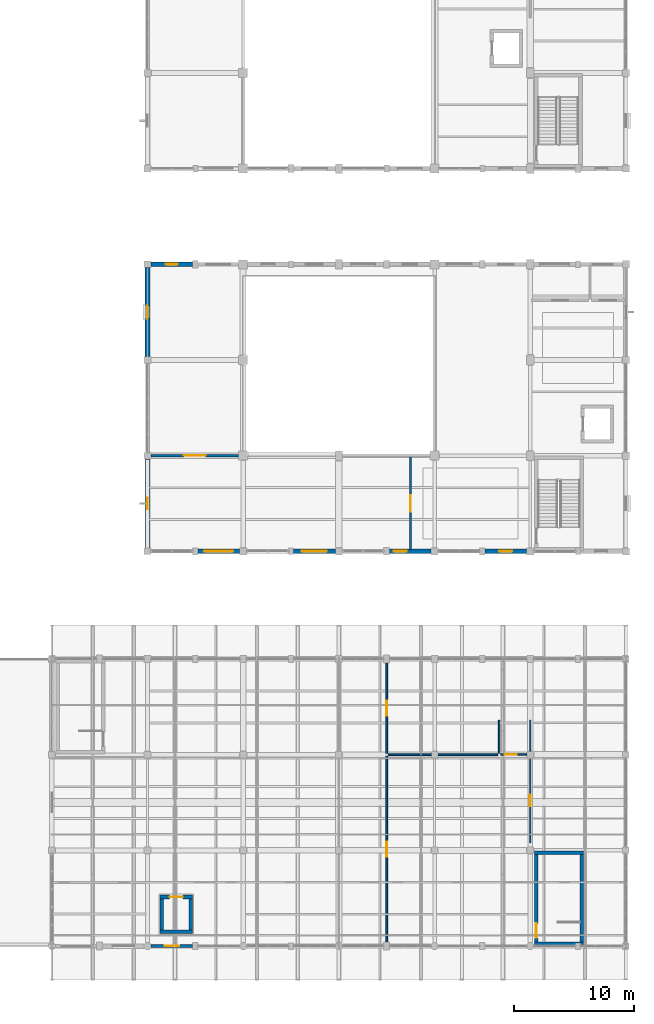
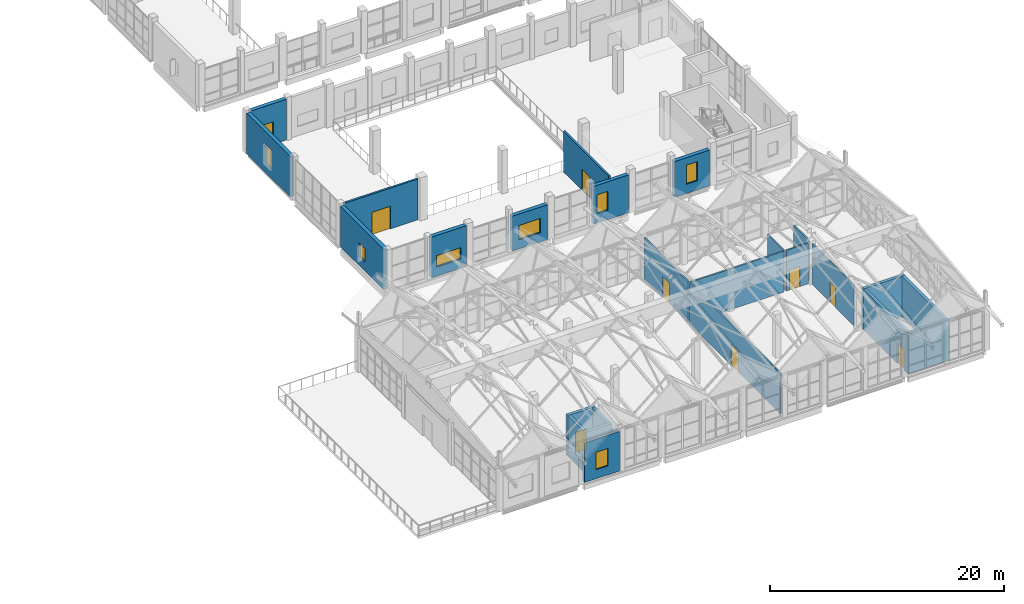
# One storey, part 148 of 183: 25 walls, 8 doors, 8 windows, 16 openings.
"""IFC4 building model written with IfcOpenShell, lengths in metres."""

from ifc_helpers import new_model, si_unit, direction, frame, frame_2d, origin, place, context, subcontext, project, spatial, rectangle, extrude, material, layer, layer_set, type_object, element, fill, save


model = new_model("IFC4")

# Units and contexts
model_context = context("Model", 3, precision=1e-05, world=origin(), true_north=direction((0.0, 1.0)))
body_context = subcontext(model_context, "Body", "Model", "MODEL_VIEW")
ifc_project = project(units=[si_unit("LENGTHUNIT", "METRE"), si_unit("AREAUNIT", "SQUARE_METRE"), si_unit("VOLUMEUNIT", "CUBIC_METRE"), si_unit("PLANEANGLEUNIT", "RADIAN"), si_unit("MASSUNIT", "GRAM", prefix="KILO")], contexts=[model_context])

# Site, building, storey
site_placement = place(None, origin())
site = spatial("IfcSite", under=ifc_project, at=site_placement, CompositionType="ELEMENT")
building_placement = place(site_placement, origin())
building = spatial("IfcBuilding", under=site, at=building_placement, Name="Luwemba Playhouse", CompositionType="ELEMENT")
storey_placement = place(building_placement, frame((0.0, 0.0, 4.800048828125)))
storey = spatial("IfcBuildingStorey", under=building, at=storey_placement, Name="L01", CompositionType="ELEMENT", Elevation=4.800048828125)

# Wall, opening, window
ifc_material_1 = material(Name="Clay facing brick obra vista masonry", Category="masonry")
ifc_layer_1 = layer(ifc_material_1, 0.3798828125)
ifc_layer_set_1 = layer_set([ifc_layer_1], Name="Clay facing brick obra vista masonry")
wall_type_1 = type_object("IfcWallType", Name="WAL-BRK-380", PredefinedType="SOLIDWALL", material=ifc_layer_set_1)
wall_1_placement = place(storey_placement, frame((132.0, 36.27490234375, 0.0), z_axis=(0.0, 0.0, 1.0), x_axis=(0.0, 1.0, 0.0)))
wall_1 = element("IfcWall", 1, at=wall_1_placement, inside=storey, type_object=wall_type_1, Name="L01 V3 exterior facade wall 0162", PredefinedType="SOLIDWALL", context=body_context, shape_type="SweptSolid", body=[
    extrude(rectangle(XDim=7.4501953125, YDim=0.3798828125, at=frame_2d((3.72509765625, 0.0))), origin(), (0.0, 0.0, 1.0), 4.25),
])
opening_1_placement = place(wall_1_placement, frame((3.22509765625, 0.0, 0.949951171875)))
opening_1 = element("IfcOpeningElement", 2, at=opening_1_placement, cuts=wall_1, Name="Opening WN-13", PredefinedType="OPENING", context=body_context, shape_type="SweptSolid", body=[
    extrude(rectangle(XDim=1.0, YDim=1.39990234375, at=frame_2d((0.5, 0.699951171875))), frame((0.0, 0.199951171875, 0.0), z_axis=(0.0, -1.0, 0.0), x_axis=(1.0, 0.0, 0.0)), (0.0, 0.0, 1.0), 0.39990234375),
])
ifc_material_2 = material(Name="Solar-control double glazing in aluminium frame", Category="aluminium")
window_type_1 = type_object("IfcWindowType", Name="WIN-WN-13", PartitioningType="SINGLE_PANEL", PredefinedType="WINDOW", material=ifc_material_2)
window_1_placement = place(opening_1_placement, origin())
window_1 = element("IfcWindow", 3, at=window_1_placement, inside=storey, type_object=window_type_1, Name="L01 V3 scheduled window 0111", OverallHeight=1.39990234375, OverallWidth=1.0, PartitioningType="SINGLE_PANEL", PredefinedType="WINDOW", context=body_context, shape_type="SweptSolid", body=[
    extrude(rectangle(XDim=1.0, YDim=1.39990234375, at=frame_2d((0.5, 0.699951171875))), frame((0.0, 0.030029296875, 0.0), z_axis=(0.0, -1.0, 0.0), x_axis=(1.0, 0.0, 0.0)), (0.0, 0.0, 1.0), 0.06005859375),
])
fill(opening_1, window_1)

wall_2_placement = place(storey_placement, frame((132.0, 52.27490234375, 0.0), z_axis=(0.0, 0.0, 1.0), x_axis=(0.0, 1.0, 0.0)))
wall_2 = element("IfcWall", 4, at=wall_2_placement, inside=storey, type_object=wall_type_1, Name="L01 V3 exterior facade wall 0163", PredefinedType="SOLIDWALL", context=body_context, shape_type="SweptSolid", body=[
    extrude(rectangle(XDim=7.4501953125, YDim=0.3798828125, at=frame_2d((3.72509765625, 0.0))), origin(), (0.0, 0.0, 1.0), 4.25),
])
opening_2_placement = place(wall_2_placement, frame((3.175048828125, 0.0, 0.949951171875)))
opening_2 = element("IfcOpeningElement", 5, at=opening_2_placement, cuts=wall_2, Name="Opening WN-19", PredefinedType="OPENING", context=body_context, shape_type="SweptSolid", body=[
    extrude(rectangle(XDim=1.10009765625, YDim=2.0, at=frame_2d((0.550048828125, 1.0))), frame((0.0, 0.199951171875, 0.0), z_axis=(0.0, -1.0, 0.0), x_axis=(1.0, 0.0, 0.0)), (0.0, 0.0, 1.0), 0.39990234375),
])
window_type_2 = type_object("IfcWindowType", Name="WIN-WN-19", PartitioningType="SINGLE_PANEL", PredefinedType="WINDOW", material=ifc_material_2)
window_2_placement = place(opening_2_placement, origin())
window_2 = element("IfcWindow", 6, at=window_2_placement, inside=storey, type_object=window_type_2, Name="L01 V3 scheduled window 0112", OverallHeight=2.0, OverallWidth=1.10009765625, PartitioningType="SINGLE_PANEL", PredefinedType="WINDOW", context=body_context, shape_type="SweptSolid", body=[
    extrude(rectangle(XDim=1.10009765625, YDim=2.0, at=frame_2d((0.550048828125, 1.0))), frame((0.0, 0.030029296875, 0.0), z_axis=(0.0, -1.0, 0.0), x_axis=(1.0, 0.0, 0.0)), (0.0, 0.0, 1.0), 0.06005859375),
])
fill(opening_2, window_2)

wall_3_placement = place(storey_placement, frame((132.27490234375, 60.0, 0.0), z_axis=(0.0, 0.0, 1.0), x_axis=(1.0, 0.0, 0.0)))
wall_3 = element("IfcWall", 7, at=wall_3_placement, inside=storey, type_object=wall_type_1, Name="L01 V3 exterior facade wall 0164", PredefinedType="SOLIDWALL", context=body_context, shape_type="SweptSolid", body=[
    extrude(rectangle(XDim=3.5, YDim=0.3798828125, at=frame_2d((1.75, 0.0))), origin(), (0.0, 0.0, 1.0), 4.25),
])
opening_3_placement = place(wall_3_placement, frame((1.25, 0.0, 0.949951171875)))
opening_3 = element("IfcOpeningElement", 8, at=opening_3_placement, cuts=wall_3, Name="Opening WN-13", PredefinedType="OPENING", context=body_context, shape_type="SweptSolid", body=[
    extrude(rectangle(XDim=1.0, YDim=1.39990234375, at=frame_2d((0.5, 0.699951171875))), frame((0.0, 0.199951171875, 0.0), z_axis=(0.0, -1.0, 0.0), x_axis=(1.0, 0.0, 0.0)), (0.0, 0.0, 1.0), 0.39990234375),
])
window_3_placement = place(opening_3_placement, origin())
window_3 = element("IfcWindow", 9, at=window_3_placement, inside=storey, type_object=window_type_1, Name="L01 V3 scheduled window 0113", OverallHeight=1.39990234375, OverallWidth=1.0, PartitioningType="SINGLE_PANEL", PredefinedType="WINDOW", context=body_context, shape_type="SweptSolid", body=[
    extrude(rectangle(XDim=1.0, YDim=1.39990234375, at=frame_2d((0.5, 0.699951171875))), frame((0.0, 0.030029296875, 0.0), z_axis=(0.0, -1.0, 0.0), x_axis=(1.0, 0.0, 0.0)), (0.0, 0.0, 1.0), 0.06005859375),
])
fill(opening_3, window_3)

wall_4_placement = place(storey_placement, frame((163.699951171875, 36.0, 0.0), z_axis=(0.0, 0.0, 1.0), x_axis=(-1.0, 0.0, 0.0)))
wall_4 = element("IfcWall", 10, at=wall_4_placement, inside=storey, type_object=wall_type_1, Name="L01 V3 exterior facade wall 0177", PredefinedType="SOLIDWALL", context=body_context, shape_type="SweptSolid", body=[
    extrude(rectangle(XDim=3.474853515625, YDim=0.3798828125, at=frame_2d((1.7373046875, 0.0))), origin(), (0.0, 0.0, 1.0), 3.73486328125),
])
opening_4_placement = place(wall_4_placement, frame((1.1875, 0.0, 0.949951171875)))
opening_4 = element("IfcOpeningElement", 11, at=opening_4_placement, cuts=wall_4, Name="Opening WN-19", PredefinedType="OPENING", context=body_context, shape_type="SweptSolid", body=[
    extrude(rectangle(XDim=1.10009765625, YDim=2.0, at=frame_2d((0.550048828125, 1.0))), frame((0.0, 0.199951171875, 0.0), z_axis=(0.0, -1.0, 0.0), x_axis=(1.0, 0.0, 0.0)), (0.0, 0.0, 1.0), 0.39990234375),
])
window_4_placement = place(opening_4_placement, origin())
window_4 = element("IfcWindow", 12, at=window_4_placement, inside=storey, type_object=window_type_2, Name="L01 V3 scheduled window 0126", OverallHeight=2.0, OverallWidth=1.10009765625, PartitioningType="SINGLE_PANEL", PredefinedType="WINDOW", context=body_context, shape_type="SweptSolid", body=[
    extrude(rectangle(XDim=1.10009765625, YDim=2.0, at=frame_2d((0.550048828125, 1.0))), frame((0.0, 0.030029296875, 0.0), z_axis=(0.0, -1.0, 0.0), x_axis=(1.0, 0.0, 0.0)), (0.0, 0.0, 1.0), 0.06005859375),
])
fill(opening_4, window_4)

wall_5_placement = place(storey_placement, frame((155.699951171875, 36.0, 0.0), z_axis=(0.0, 0.0, 1.0), x_axis=(-1.0, 0.0, 0.0)))
wall_5 = element("IfcWall", 13, at=wall_5_placement, inside=storey, type_object=wall_type_1, Name="L01 V3 exterior facade wall 0178", PredefinedType="SOLIDWALL", context=body_context, shape_type="SweptSolid", body=[
    extrude(rectangle(XDim=3.449951171875, YDim=0.3798828125, at=frame_2d((1.72509765625, 0.0))), origin(), (0.0, 0.0, 1.0), 3.93505859375),
])
opening_5_placement = place(wall_5_placement, frame((2.030029296875, 0.0, 0.949951171875)))
opening_5 = element("IfcOpeningElement", 14, at=opening_5_placement, cuts=wall_5, Name="Opening WN-19", PredefinedType="OPENING", context=body_context, shape_type="SweptSolid", body=[
    extrude(rectangle(XDim=1.10009765625, YDim=2.0, at=frame_2d((0.550048828125, 1.0))), frame((0.0, 0.199951171875, 0.0), z_axis=(0.0, -1.0, 0.0), x_axis=(1.0, 0.0, 0.0)), (0.0, 0.0, 1.0), 0.39990234375),
])
window_5_placement = place(opening_5_placement, origin())
window_5 = element("IfcWindow", 15, at=window_5_placement, inside=storey, type_object=window_type_2, Name="L01 V3 scheduled window 0127", OverallHeight=2.0, OverallWidth=1.10009765625, PartitioningType="TRIPLE_PANEL_VERTICAL", PredefinedType="WINDOW", context=body_context, shape_type="SweptSolid", body=[
    extrude(rectangle(XDim=1.10009765625, YDim=2.0, at=frame_2d((0.550048828125, 1.0))), frame((0.0, 0.030029296875, 0.0), z_axis=(0.0, -1.0, 0.0), x_axis=(1.0, 0.0, 0.0)), (0.0, 0.0, 1.0), 0.06005859375),
])
fill(opening_5, window_5)

wall_6_placement = place(storey_placement, frame((147.699951171875, 36.0, 0.0), z_axis=(0.0, 0.0, 1.0), x_axis=(-1.0, 0.0, 0.0)))
wall_6 = element("IfcWall", 16, at=wall_6_placement, inside=storey, type_object=wall_type_1, Name="L01 V3 exterior facade wall 0179", PredefinedType="SOLIDWALL", context=body_context, shape_type="SweptSolid", body=[
    extrude(rectangle(XDim=3.5, YDim=0.3798828125, at=frame_2d((1.75, 0.0))), origin(), (0.0, 0.0, 1.0), 3.635009765625),
])
opening_6_placement = place(wall_6_placement, frame((0.699951171875, 0.0, 0.949951171875)))
opening_6 = element("IfcOpeningElement", 17, at=opening_6_placement, cuts=wall_6, Name="Opening WN-11", PredefinedType="OPENING", context=body_context, shape_type="SweptSolid", body=[
    extrude(rectangle(XDim=2.10009765625, YDim=1.5, at=frame_2d((1.050048828125, 0.75))), frame((0.0, 0.199951171875, 0.0), z_axis=(0.0, -1.0, 0.0), x_axis=(1.0, 0.0, 0.0)), (0.0, 0.0, 1.0), 0.39990234375),
])
window_type_3 = type_object("IfcWindowType", Name="WIN-WN-11", PartitioningType="TRIPLE_PANEL_VERTICAL", PredefinedType="WINDOW", material=ifc_material_2)
window_6_placement = place(opening_6_placement, origin())
window_6 = element("IfcWindow", 18, at=window_6_placement, inside=storey, type_object=window_type_3, Name="L01 V3 scheduled window 0128", OverallHeight=1.5, OverallWidth=2.10009765625, PartitioningType="TRIPLE_PANEL_VERTICAL", PredefinedType="WINDOW", context=body_context, shape_type="SweptSolid", body=[
    extrude(rectangle(XDim=2.10009765625, YDim=1.5, at=frame_2d((1.050048828125, 0.75))), frame((0.0, 0.030029296875, 0.0), z_axis=(0.0, -1.0, 0.0), x_axis=(1.0, 0.0, 0.0)), (0.0, 0.0, 1.0), 0.06005859375),
])
fill(opening_6, window_6)

wall_7_placement = place(storey_placement, frame((139.699951171875, 36.0, 0.0), z_axis=(0.0, 0.0, 1.0), x_axis=(-1.0, 0.0, 0.0)))
wall_7 = element("IfcWall", 19, at=wall_7_placement, inside=storey, type_object=wall_type_1, Name="L01 V3 exterior facade wall 0180", PredefinedType="SOLIDWALL", context=body_context, shape_type="SweptSolid", body=[
    extrude(rectangle(XDim=3.474853515625, YDim=0.3798828125, at=frame_2d((1.7373046875, 0.0))), origin(), (0.0, 0.0, 1.0), 4.25),
])
opening_7_placement = place(wall_7_placement, frame((0.53759765625, 0.0, 0.949951171875)))
opening_7 = element("IfcOpeningElement", 20, at=opening_7_placement, cuts=wall_7, Name="Opening WN-17", PredefinedType="OPENING", context=body_context, shape_type="SweptSolid", body=[
    extrude(rectangle(XDim=2.39990234375, YDim=1.199951171875, at=frame_2d((1.199951171875, 0.60009765625))), frame((0.0, 0.199951171875, 0.0), z_axis=(0.0, -1.0, 0.0), x_axis=(1.0, 0.0, 0.0)), (0.0, 0.0, 1.0), 0.39990234375),
])
window_type_4 = type_object("IfcWindowType", Name="WIN-WN-17", PartitioningType="TRIPLE_PANEL_HORIZONTAL", PredefinedType="WINDOW", material=ifc_material_2)
window_7_placement = place(opening_7_placement, origin())
window_7 = element("IfcWindow", 21, at=window_7_placement, inside=storey, type_object=window_type_4, Name="L01 V3 scheduled window 0129", OverallHeight=1.199951171875, OverallWidth=2.39990234375, PartitioningType="TRIPLE_PANEL_HORIZONTAL", PredefinedType="WINDOW", context=body_context, shape_type="SweptSolid", body=[
    extrude(rectangle(XDim=2.39990234375, YDim=1.199951171875, at=frame_2d((1.199951171875, 0.60009765625))), frame((0.0, 0.030029296875, 0.0), z_axis=(0.0, -1.0, 0.0), x_axis=(1.0, 0.0, 0.0)), (0.0, 0.0, 1.0), 0.06005859375),
])
fill(opening_7, window_7)

# Walls
ifc_material_3 = material(Name="Concrete C40/50", Category="concrete")
ifc_layer_2 = layer(ifc_material_3, 0.300048828125)
ifc_layer_set_2 = layer_set([ifc_layer_2], Name="Concrete C40/50")
wall_type_2 = type_object("IfcWallType", Name="WAL-CORE-300", PredefinedType="SHEAR", material=ifc_layer_set_2)
for number, where, z_axis, x_axis, name in (
    (22, (164.35009765625, 3.18994140625, 0.0), (0.0, 0.0, 1.0), (1.0, 0.0, 0.0), "L01 ST-05 stair core wall S"),
    (23, (168.449951171875, 10.81005859375, 0.0), (0.0, 0.0, 1.0), (-1.0, 0.0, 0.0), "L01 ST-05 stair core wall N"),
):
    element("IfcWall", number, at=place(storey_placement, frame(where, z_axis=z_axis, x_axis=x_axis)), inside=storey, type_object=wall_type_2, Name=name, PredefinedType="SHEAR", context=body_context, shape_type="SweptSolid", body=[
        extrude(rectangle(XDim=4.099853515625, YDim=0.300048828125, at=frame_2d((2.0498046875, 0.0))), origin(), (0.0, 0.0, 1.0), 4.25),
    ])

# Wall, opening, door
wall_8_placement = place(storey_placement, frame((164.5, 10.659912109375, 0.0), z_axis=(0.0, 0.0, 1.0), x_axis=(0.0, -1.0, 0.0)))
wall_8 = element("IfcWall", 24, at=wall_8_placement, inside=storey, type_object=wall_type_2, Name="L01 ST-05 stair core wall W", PredefinedType="SHEAR", context=body_context, shape_type="SweptSolid", body=[
    extrude(rectangle(XDim=7.31982421875, YDim=0.300048828125, at=frame_2d((3.659912109375, 0.0))), origin(), (0.0, 0.0, 1.0), 4.25),
])
opening_8_placement = place(wall_8_placement, frame((5.77001953125, 0.0, 0.0)))
opening_8 = element("IfcOpeningElement", 25, at=opening_8_placement, cuts=wall_8, Name="Opening D-STAIR3", PredefinedType="OPENING", context=body_context, shape_type="SweptSolid", body=[
    extrude(rectangle(XDim=1.199951171875, YDim=2.14990234375, at=frame_2d((0.60009765625, 1.074951171875))), frame((0.0, 0.159912109375, 0.0), z_axis=(0.0, -1.0, 0.0), x_axis=(1.0, 0.0, 0.0)), (0.0, 0.0, 1.0), 0.320068359375),
])
ifc_material_4 = material(Name="Hardwood acoustic fire door leaf", Category="wood")
door_type_1 = type_object("IfcDoorType", Name="DR-STAIR-120", OperationType="NOTDEFINED", PredefinedType="DOOR", material=ifc_material_4)
door_1_placement = place(opening_8_placement, origin())
door_1 = element("IfcDoor", 26, at=door_1_placement, inside=storey, type_object=door_type_1, Name="L01 ST-05 protected stair entry door", OperationType="SINGLE_SWING_LEFT", OverallHeight=2.14990234375, OverallWidth=1.199951171875, PredefinedType="DOOR", context=body_context, shape_type="SweptSolid", body=[
    extrude(rectangle(XDim=1.199951171875, YDim=2.14990234375, at=frame_2d((0.60009765625, 1.074951171875))), frame((0.0, 0.02490234375, 0.0), z_axis=(0.0, -1.0, 0.0), x_axis=(1.0, 0.0, 0.0)), (0.0, 0.0, 1.0), 0.050048828125),
])
fill(opening_8, door_1)

# Walls
wall_9_placement = place(storey_placement, frame((168.300048828125, 10.659912109375, 0.0), z_axis=(0.0, 0.0, 1.0), x_axis=(0.0, -1.0, 0.0)))
element("IfcWall", 27, at=wall_9_placement, inside=storey, type_object=wall_type_2, Name="L01 ST-05 stair core wall E", PredefinedType="SHEAR", context=body_context, shape_type="SweptSolid", body=[
    extrude(rectangle(XDim=7.31982421875, YDim=0.300048828125, at=frame_2d((3.659912109375, 0.0))), origin(), (0.0, 0.0, 1.0), 4.25),
])
wall_10_placement = place(storey_placement, frame((133.050048828125, 4.199951171875, 0.0), z_axis=(0.0, 0.0, 1.0), x_axis=(1.0, 0.0, 0.0)))
element("IfcWall", 28, at=wall_10_placement, inside=storey, type_object=wall_type_2, Name="L01 Lift LF-P5 shaft wall S", PredefinedType="SHEAR", context=body_context, shape_type="SweptSolid", body=[
    extrude(rectangle(XDim=2.699951171875, YDim=0.300048828125, at=frame_2d((1.35009765625, 0.0))), origin(), (0.0, 0.0, 1.0), 4.25),
])

# Wall, opening, door
wall_11_placement = place(storey_placement, frame((135.75, 7.10009765625, 0.0), z_axis=(0.0, 0.0, 1.0), x_axis=(-1.0, 0.0, 0.0)))
wall_11 = element("IfcWall", 29, at=wall_11_placement, inside=storey, type_object=wall_type_2, Name="L01 Lift LF-P5 shaft wall N", PredefinedType="SHEAR", context=body_context, shape_type="SweptSolid", body=[
    extrude(rectangle(XDim=2.699951171875, YDim=0.300048828125, at=frame_2d((1.35009765625, 0.0))), origin(), (0.0, 0.0, 1.0), 4.25),
])
opening_9_placement = place(wall_11_placement, frame((0.800048828125, 0.0, 0.0)))
opening_9 = element("IfcOpeningElement", 30, at=opening_9_placement, cuts=wall_11, Name="Opening LD-01", PredefinedType="OPENING", context=body_context, shape_type="SweptSolid", body=[
    extrude(rectangle(XDim=1.10009765625, YDim=2.14990234375, at=frame_2d((0.550048828125, 1.074951171875))), frame((0.0, 0.159912109375, 0.0), z_axis=(0.0, -1.0, 0.0), x_axis=(1.0, 0.0, 0.0)), (0.0, 0.0, 1.0), 0.320068359375),
])
ifc_material_5 = material(Name="Stainless steel lift landing doors", Category="steel")
door_type_2 = type_object("IfcDoorType", Name="DR-LIFT-110", OperationType="NOTDEFINED", PredefinedType="DOOR", material=ifc_material_5)
door_2_placement = place(opening_9_placement, origin())
door_2 = element("IfcDoor", 31, at=door_2_placement, inside=storey, type_object=door_type_2, Name="L01 Lift LF-P5 landing door", OperationType="DOUBLE_DOOR_SLIDING", OverallHeight=2.14990234375, OverallWidth=1.10009765625, PredefinedType="DOOR", context=body_context, shape_type="SweptSolid", body=[
    extrude(rectangle(XDim=1.10009765625, YDim=2.14990234375, at=frame_2d((0.550048828125, 1.074951171875))), frame((0.0, 0.02490234375, 0.0), z_axis=(0.0, -1.0, 0.0), x_axis=(1.0, 0.0, 0.0)), (0.0, 0.0, 1.0), 0.050048828125),
])
fill(opening_9, door_2)

# Walls
for number, where, z_axis, x_axis, name in (
    (32, (133.199951171875, 4.35009765625, 0.0), (0.0, 0.0, 1.0), (0.0, 1.0, 0.0), "L01 Lift LF-P5 shaft wall W"),
    (33, (135.60009765625, 6.949951171875, 0.0), (0.0, 0.0, 1.0), (0.0, -1.0, 0.0), "L01 Lift LF-P5 shaft wall E"),
):
    element("IfcWall", number, at=place(storey_placement, frame(where, z_axis=z_axis, x_axis=x_axis)), inside=storey, type_object=wall_type_2, Name=name, PredefinedType="SHEAR", context=body_context, shape_type="SweptSolid", body=[
        extrude(rectangle(XDim=2.599853515625, YDim=0.300048828125, at=frame_2d((1.2998046875, 0.0))), origin(), (0.0, 0.0, 1.0), 4.25),
    ])

# Wall, opening, door
ifc_material_6 = material(Name="Moisture-resistant sanitary partition", Category="gypsum")
ifc_layer_3 = layer(ifc_material_6, 0.1201171875)
ifc_layer_set_3 = layer_set([ifc_layer_3], Name="Moisture-resistant sanitary partition")
wall_type_3 = type_object("IfcWallType", Name="WAL-INT-120", PredefinedType="PARTITIONING", material=ifc_layer_set_3)
wall_12_placement = place(storey_placement, frame((161.52001953125, 19.0, 0.0), z_axis=(0.0, 0.0, 1.0), x_axis=(1.0, 0.0, 0.0)))
wall_12 = element("IfcWall", 34, at=wall_12_placement, inside=storey, type_object=wall_type_3, Name="L01 V5E interior partition 0140", PredefinedType="PARTITIONING", context=body_context, shape_type="SweptSolid", body=[
    extrude(rectangle(XDim=2.18505859375, YDim=0.1201171875, at=frame_2d((1.092529296875, 0.0))), origin(), (0.0, 0.0, 1.0), 4.25),
])
opening_10_placement = place(wall_12_placement, frame((0.330322265625, 0.0, 0.0)))
opening_10 = element("IfcOpeningElement", 35, at=opening_10_placement, cuts=wall_12, Name="Opening D-AWC", PredefinedType="OPENING", context=body_context, shape_type="SweptSolid", body=[
    extrude(rectangle(XDim=1.0, YDim=2.10009765625, at=frame_2d((0.5, 1.050048828125))), frame((0.0, 0.070068359375, 0.0), z_axis=(0.0, -1.0, 0.0), x_axis=(1.0, 0.0, 0.0)), (0.0, 0.0, 1.0), 0.14013671875),
])
ifc_material_7 = material(Name="Accessible WC outward-assisted timber door", Category="wood")
door_type_3 = type_object("IfcDoorType", Name="DR-AWC-100", OperationType="NOTDEFINED", PredefinedType="DOOR", material=ifc_material_7)
door_3_placement = place(opening_10_placement, origin())
door_3 = element("IfcDoor", 36, at=door_3_placement, inside=storey, type_object=door_type_3, Name="L01 East African Theatre Poster Gallery to Terrace Restaurant Accessible WC door", OperationType="SINGLE_SWING_RIGHT", OverallHeight=2.10009765625, OverallWidth=1.0, PredefinedType="DOOR", context=body_context, shape_type="SweptSolid", body=[
    extrude(rectangle(XDim=1.0, YDim=2.10009765625, at=frame_2d((0.5, 1.050048828125))), frame((0.0, 0.02490234375, 0.0), z_axis=(0.0, -1.0, 0.0), x_axis=(1.0, 0.0, 0.0)), (0.0, 0.0, 1.0), 0.050048828125),
])
fill(opening_10, door_3)

wall_13_placement = place(storey_placement, frame((164.0, 11.6201171875, 0.0), z_axis=(0.0, 0.0, 1.0), x_axis=(0.0, 1.0, 0.0)))
wall_13 = element("IfcWall", 37, at=wall_13_placement, inside=storey, type_object=wall_type_3, Name="L01 V5E interior partition 0141", PredefinedType="PARTITIONING", context=body_context, shape_type="SweptSolid", body=[
    extrude(rectangle(XDim=7.0849609375, YDim=0.1201171875, at=frame_2d((3.54248046875, 0.0))), origin(), (0.0, 0.0, 1.0), 4.25),
])
opening_11_placement = place(wall_13_placement, frame((3.0673828125, 0.0, 0.0)))
opening_11 = element("IfcOpeningElement", 38, at=opening_11_placement, cuts=wall_13, Name="Opening D-WC1", PredefinedType="OPENING", context=body_context, shape_type="SweptSolid", body=[
    extrude(rectangle(XDim=0.949951171875, YDim=2.10009765625, at=frame_2d((0.47509765625, 1.050048828125))), frame((0.0, 0.070068359375, 0.0), z_axis=(0.0, -1.0, 0.0), x_axis=(1.0, 0.0, 0.0)), (0.0, 0.0, 1.0), 0.14013671875),
])
ifc_material_8 = material(Name="Moisture-resistant laminate door", Category="wood")
door_type_4 = type_object("IfcDoorType", Name="DR-WC-095", OperationType="NOTDEFINED", PredefinedType="DOOR", material=ifc_material_8)
door_4_placement = place(opening_11_placement, origin())
door_4 = element("IfcDoor", 39, at=door_4_placement, inside=storey, type_object=door_type_4, Name="L01 East African Theatre Poster Gallery to Terrace Restaurant Toilets door", OperationType="SINGLE_SWING_LEFT", OverallHeight=2.10009765625, OverallWidth=0.949951171875, PredefinedType="DOOR", context=body_context, shape_type="SweptSolid", body=[
    extrude(rectangle(XDim=0.949951171875, YDim=2.10009765625, at=frame_2d((0.47509765625, 1.050048828125))), frame((0.0, 0.02490234375, 0.0), z_axis=(0.0, -1.0, 0.0), x_axis=(1.0, 0.0, 0.0)), (0.0, 0.0, 1.0), 0.050048828125),
])
fill(opening_11, door_4)

# Walls
wall_14_placement = place(storey_placement, frame((161.39990234375, 19.1201171875, 0.0), z_axis=(0.0, 0.0, 1.0), x_axis=(0.0, 1.0, 0.0)))
element("IfcWall", 40, at=wall_14_placement, inside=storey, type_object=wall_type_3, Name="L01 V5E interior partition 0142", PredefinedType="PARTITIONING", context=body_context, shape_type="SweptSolid", body=[
    extrude(rectangle(XDim=2.759765625, YDim=0.1201171875, at=frame_2d((1.3798828125, 0.0))), origin(), (0.0, 0.0, 1.0), 4.25),
])
wall_15_placement = place(storey_placement, frame((164.0, 19.294921875, 0.0), z_axis=(0.0, 0.0, 1.0), x_axis=(0.0, 1.0, 0.0)))
element("IfcWall", 41, at=wall_15_placement, inside=storey, type_object=wall_type_3, Name="L01 V5E interior partition 0143", PredefinedType="PARTITIONING", context=body_context, shape_type="SweptSolid", body=[
    extrude(rectangle(XDim=2.5849609375, YDim=0.1201171875, at=frame_2d((1.29248046875, 0.0))), origin(), (0.0, 0.0, 1.0), 4.25),
])

# Wall, opening, door
ifc_material_9 = material(Name="Acoustic gypsum stud partition", Category="gypsum")
ifc_layer_4 = layer(ifc_material_9, 0.14990234375)
ifc_layer_set_4 = layer_set([ifc_layer_4], Name="Acoustic gypsum stud partition")
wall_type_4 = type_object("IfcWallType", Name="WAL-INT-150", PredefinedType="PARTITIONING", material=ifc_layer_set_4)
wall_16_placement = place(storey_placement, frame((152.0, 3.344970703125, 0.0), z_axis=(0.0, 0.0, 1.0), x_axis=(0.0, 1.0, 0.0)))
wall_16 = element("IfcWall", 42, at=wall_16_placement, inside=storey, type_object=wall_type_4, Name="L01 V5E interior partition 0137", PredefinedType="PARTITIONING", context=body_context, shape_type="SweptSolid", body=[
    extrude(rectangle(XDim=15.534912109375, YDim=0.14990234375, at=frame_2d((7.767578125, 0.0))), origin(), (0.0, 0.0, 1.0), 4.25),
])
opening_12_placement = place(wall_16_placement, frame((7.142578125, 0.0, 0.0)))
opening_12 = element("IfcOpeningElement", 43, at=opening_12_placement, cuts=wall_16, Name="Opening D-IN1", PredefinedType="OPENING", context=body_context, shape_type="SweptSolid", body=[
    extrude(rectangle(XDim=1.25, YDim=2.14990234375, at=frame_2d((0.625, 1.074951171875))), frame((0.0, 0.0849609375, 0.0), z_axis=(0.0, -1.0, 0.0), x_axis=(1.0, 0.0, 0.0)), (0.0, 0.0, 1.0), 0.169921875),
])
ifc_material_10 = material(Name="Solid hardwood interior door", Category="wood")
door_type_5 = type_object("IfcDoorType", Name="DR-INT-125", OperationType="NOTDEFINED", PredefinedType="DOOR", material=ifc_material_10)
door_5_placement = place(opening_12_placement, origin())
door_5 = element("IfcDoor", 44, at=door_5_placement, inside=storey, type_object=door_type_5, Name="L01 Forecourt Terrace Restaurant and Dining Hall to East African Theatre Poster Gallery door", OperationType="SINGLE_SWING_RIGHT", OverallHeight=2.14990234375, OverallWidth=1.25, PredefinedType="DOOR", context=body_context, shape_type="SweptSolid", body=[
    extrude(rectangle(XDim=1.25, YDim=2.14990234375, at=frame_2d((0.625, 1.074951171875))), frame((0.0, 0.02490234375, 0.0), z_axis=(0.0, -1.0, 0.0), x_axis=(1.0, 0.0, 0.0)), (0.0, 0.0, 1.0), 0.050048828125),
])
fill(opening_12, door_5)

wall_17_placement = place(storey_placement, frame((152.0, 19.1201171875, 0.0), z_axis=(0.0, 0.0, 1.0), x_axis=(0.0, 1.0, 0.0)))
wall_17 = element("IfcWall", 45, at=wall_17_placement, inside=storey, type_object=wall_type_4, Name="L01 V5E interior partition 0138", PredefinedType="PARTITIONING", context=body_context, shape_type="SweptSolid", body=[
    extrude(rectangle(XDim=7.534912109375, YDim=0.14990234375, at=frame_2d((3.767578125, 0.0))), origin(), (0.0, 0.0, 1.0), 4.25),
])
opening_13_placement = place(wall_17_placement, frame((3.142578125, 0.0, 0.0)))
opening_13 = element("IfcOpeningElement", 46, at=opening_13_placement, cuts=wall_17, Name="Opening D-IN1", PredefinedType="OPENING", context=body_context, shape_type="SweptSolid", body=[
    extrude(rectangle(XDim=1.25, YDim=2.14990234375, at=frame_2d((0.625, 1.074951171875))), frame((0.0, 0.0849609375, 0.0), z_axis=(0.0, -1.0, 0.0), x_axis=(1.0, 0.0, 0.0)), (0.0, 0.0, 1.0), 0.169921875),
])
door_6_placement = place(opening_13_placement, origin())
door_6 = element("IfcDoor", 47, at=door_6_placement, inside=storey, type_object=door_type_5, Name="L01 Forecourt Terrace Restaurant and Dining Hall to Terrace Dining Server and Pantry door", OperationType="SINGLE_SWING_LEFT", OverallHeight=2.14990234375, OverallWidth=1.25, PredefinedType="DOOR", context=body_context, shape_type="SweptSolid", body=[
    extrude(rectangle(XDim=1.25, YDim=2.14990234375, at=frame_2d((0.625, 1.074951171875))), frame((0.0, 0.02490234375, 0.0), z_axis=(0.0, -1.0, 0.0), x_axis=(1.0, 0.0, 0.0)), (0.0, 0.0, 1.0), 0.050048828125),
])
fill(opening_13, door_6)

# Wall
wall_18_placement = place(storey_placement, frame((152.1201171875, 19.0, 0.0), z_axis=(0.0, 0.0, 1.0), x_axis=(1.0, 0.0, 0.0)))
element("IfcWall", 48, at=wall_18_placement, inside=storey, type_object=wall_type_4, Name="L01 V5E interior partition 0139", PredefinedType="PARTITIONING", context=body_context, shape_type="SweptSolid", body=[
    extrude(rectangle(XDim=9.159912109375, YDim=0.14990234375, at=frame_2d((4.580078125, 0.0))), origin(), (0.0, 0.0, 1.0), 4.25),
])

# Wall, opening, door
ifc_material_11 = material(Name="Double-stud acoustic gypsum partition", Category="gypsum")
ifc_layer_5 = layer(ifc_material_11, 0.179931640625)
ifc_layer_set_5 = layer_set([ifc_layer_5], Name="Double-stud acoustic gypsum partition")
wall_type_5 = type_object("IfcWallType", Name="WAL-INT-180", PredefinedType="PARTITIONING", material=ifc_layer_set_5)
wall_19_placement = place(storey_placement, frame((154.0, 36.1201171875, 0.0), z_axis=(0.0, 0.0, 1.0), x_axis=(0.0, 1.0, 0.0)))
wall_19 = element("IfcWall", 49, at=wall_19_placement, inside=storey, type_object=wall_type_5, Name="L01 V3 interior partition 0126", PredefinedType="PARTITIONING", context=body_context, shape_type="SweptSolid", body=[
    extrude(rectangle(XDim=7.759765625, YDim=0.179931640625, at=frame_2d((3.8798828125, 0.0))), origin(), (0.0, 0.0, 1.0), 4.25),
])
opening_14_placement = place(wall_19_placement, frame((3.205078125, 0.0, 0.0)))
opening_14 = element("IfcOpeningElement", 50, at=opening_14_placement, cuts=wall_19, Name="Opening D-STU1", PredefinedType="OPENING", context=body_context, shape_type="SweptSolid", body=[
    extrude(rectangle(XDim=1.35009765625, YDim=2.199951171875, at=frame_2d((0.675048828125, 1.10009765625))), frame((0.0, 0.099853515625, 0.0), z_axis=(0.0, -1.0, 0.0), x_axis=(1.0, 0.0, 0.0)), (0.0, 0.0, 1.0), 0.199951171875),
])
ifc_material_12 = material(Name="Acoustic studio door", Category="wood")
door_type_6 = type_object("IfcDoorType", Name="DR-STU-135", OperationType="NOTDEFINED", PredefinedType="DOOR", material=ifc_material_12)
door_7_placement = place(opening_14_placement, origin())
door_7 = element("IfcDoor", 51, at=door_7_placement, inside=storey, type_object=door_type_6, Name="L01 Studio Upper Cloister Lounge to Voice and Dialect Coaching Studio door", OperationType="SINGLE_SWING_LEFT", OverallHeight=2.199951171875, OverallWidth=1.35009765625, PredefinedType="DOOR", context=body_context, shape_type="SweptSolid", body=[
    extrude(rectangle(XDim=1.35009765625, YDim=2.199951171875, at=frame_2d((0.675048828125, 1.10009765625))), frame((0.0, 0.02490234375, 0.0), z_axis=(0.0, -1.0, 0.0), x_axis=(1.0, 0.0, 0.0)), (0.0, 0.0, 1.0), 0.050048828125),
])
fill(opening_14, door_7)

ifc_material_13 = material(Name="Clay acoustic masonry blockwork", Category="masonry")
ifc_layer_6 = layer(ifc_material_13, 0.199951171875)
ifc_layer_set_6 = layer_set([ifc_layer_6], Name="Clay acoustic masonry blockwork")
wall_type_6 = type_object("IfcWallType", Name="WAL-INT-200", PredefinedType="PARTITIONING", material=ifc_layer_set_6)
wall_20_placement = place(storey_placement, frame((132.294921875, 44.0, 0.0), z_axis=(0.0, 0.0, 1.0), x_axis=(1.0, 0.0, 0.0)))
wall_20 = element("IfcWall", 52, at=wall_20_placement, inside=storey, type_object=wall_type_6, Name="L01 V3 interior partition 0125", PredefinedType="PARTITIONING", context=body_context, shape_type="SweptSolid", body=[
    extrude(rectangle(XDim=7.31005859375, YDim=0.199951171875, at=frame_2d((3.655029296875, 0.0))), origin(), (0.0, 0.0, 1.0), 4.25),
])
opening_15_placement = place(wall_20_placement, frame((2.7548828125, 0.0, 0.0)))
opening_15 = element("IfcOpeningElement", 53, at=opening_15_placement, cuts=wall_20, Name="Opening D-AUD1", PredefinedType="OPENING", context=body_context, shape_type="SweptSolid", body=[
    extrude(rectangle(XDim=1.800048828125, YDim=2.35009765625, at=frame_2d((0.89990234375, 1.175048828125))), frame((0.0, 0.10986328125, 0.0), z_axis=(0.0, -1.0, 0.0), x_axis=(1.0, 0.0, 0.0)), (0.0, 0.0, 1.0), 0.219970703125),
])
ifc_material_14 = material(Name="Double acoustic timber theatre door", Category="wood")
door_type_7 = type_object("IfcDoorType", Name="DR-AUD-180", OperationType="NOTDEFINED", PredefinedType="DOOR", material=ifc_material_14)
door_8_placement = place(opening_15_placement, origin())
door_8 = element("IfcDoor", 54, at=door_8_placement, inside=storey, type_object=door_type_7, Name="L01 Studio Tension-Grid Lighting Gallery to Studio Upper Cloister Lounge door", OperationType="DOUBLE_DOOR_SINGLE_SWING", OverallHeight=2.35009765625, OverallWidth=1.800048828125, PredefinedType="DOOR", context=body_context, shape_type="SweptSolid", body=[
    extrude(rectangle(XDim=1.800048828125, YDim=2.35009765625, at=frame_2d((0.89990234375, 1.175048828125))), frame((0.0, 0.02490234375, 0.0), z_axis=(0.0, -1.0, 0.0), x_axis=(1.0, 0.0, 0.0)), (0.0, 0.0, 1.0), 0.050048828125),
])
fill(opening_15, door_8)

# Wall, opening, window
ifc_material_15 = material(Name="Structural timber GL24h infill", Category="wood")
ifc_layer_7 = layer(ifc_material_15, 0.280029296875)
ifc_layer_set_7 = layer_set([ifc_layer_7], Name="Structural timber GL24h infill")
wall_type_7 = type_object("IfcWallType", Name="WAL-TIM-280", PredefinedType="SOLIDWALL", material=ifc_layer_set_7)
wall_21_placement = place(storey_placement, frame((135.77490234375, 3.0, 0.0), z_axis=(0.0, 0.0, 1.0), x_axis=(-1.0, 0.0, 0.0)))
wall_21 = element("IfcWall", 55, at=wall_21_placement, inside=storey, type_object=wall_type_7, Name="L01 V5E exterior facade wall 0201", PredefinedType="SOLIDWALL", context=body_context, shape_type="SweptSolid", body=[
    extrude(rectangle(XDim=3.474853515625, YDim=0.280029296875, at=frame_2d((1.7373046875, 0.0))), origin(), (0.0, 0.0, 1.0), 4.125),
])
opening_16_placement = place(wall_21_placement, frame((1.137451171875, 0.0, 0.949951171875)))
opening_16 = element("IfcOpeningElement", 56, at=opening_16_placement, cuts=wall_21, Name="Opening WN-01", PredefinedType="OPENING", context=body_context, shape_type="SweptSolid", body=[
    extrude(rectangle(XDim=1.199951171875, YDim=1.800048828125, at=frame_2d((0.60009765625, 0.89990234375))), frame((0.0, 0.14990234375, 0.0), z_axis=(0.0, -1.0, 0.0), x_axis=(1.0, 0.0, 0.0)), (0.0, 0.0, 1.0), 0.300048828125),
])
window_type_5 = type_object("IfcWindowType", Name="WIN-WN-01", PartitioningType="SINGLE_PANEL", PredefinedType="WINDOW", material=ifc_material_2)
window_8_placement = place(opening_16_placement, origin())
window_8 = element("IfcWindow", 57, at=window_8_placement, inside=storey, type_object=window_type_5, Name="L01 V5E scheduled window 0149", OverallHeight=1.800048828125, OverallWidth=1.199951171875, PartitioningType="SINGLE_PANEL", PredefinedType="WINDOW", context=body_context, shape_type="SweptSolid", body=[
    extrude(rectangle(XDim=1.199951171875, YDim=1.800048828125, at=frame_2d((0.60009765625, 0.89990234375))), frame((0.0, 0.030029296875, 0.0), z_axis=(0.0, -1.0, 0.0), x_axis=(1.0, 0.0, 0.0)), (0.0, 0.0, 1.0), 0.06005859375),
])
fill(opening_16, window_8)

save(model, "model.ifc")
